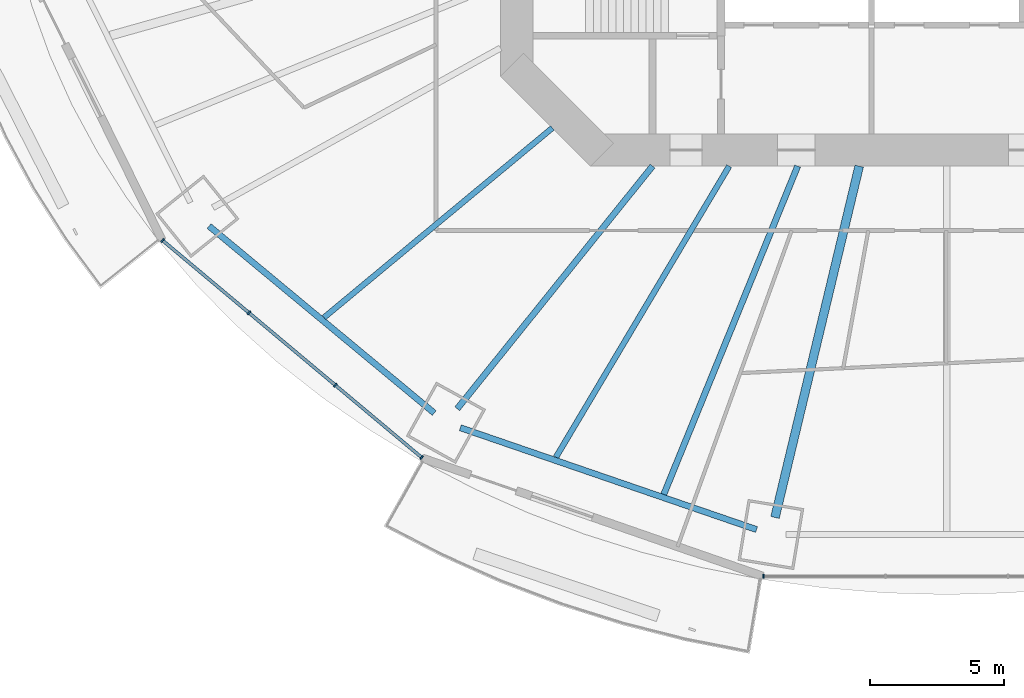
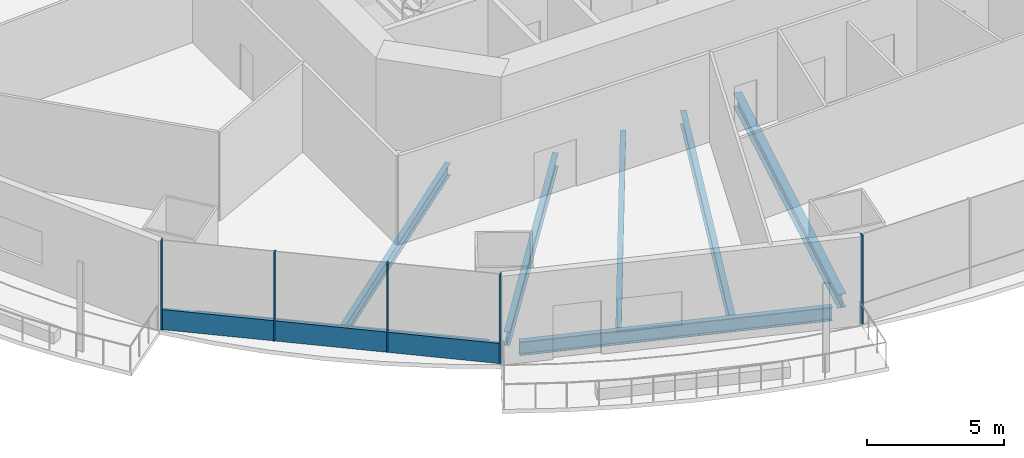
# One storey, part 2 of 22: 7 beams, 6 members, 2 elements without a shape of their own.
"""IFC4 building model written with IfcOpenShell, lengths in metres."""

from ifc_helpers import new_model, si_unit, direction, frame, origin, origin_2d, place, context, subcontext, project, spatial, rectangle, i_section, extrude, material, material_profile, profile_set, type_object, element, aggregate, save


model = new_model("IFC4")

# Units and contexts
model_context = context("Model", 3, precision=1e-05, world=origin(), true_north=direction((0.0, 1.0)))
body_context = subcontext(model_context, "Body", "Model", "MODEL_VIEW")
ifc_project = project(units=[si_unit("LENGTHUNIT", "METRE"), si_unit("AREAUNIT", "SQUARE_METRE"), si_unit("VOLUMEUNIT", "CUBIC_METRE"), si_unit("PLANEANGLEUNIT", "RADIAN"), si_unit("MASSUNIT", "GRAM", prefix="KILO")], contexts=[model_context])

# Site, building, storey
site_placement = place(None, origin())
site = spatial("IfcSite", under=ifc_project, at=site_placement, CompositionType="ELEMENT")
building_placement = place(site_placement, origin())
building = spatial("IfcBuilding", under=site, at=building_placement, Name="Marenthal Gate Tower", CompositionType="ELEMENT")
storey_placement = place(building_placement, frame((0.0, 0.0, 82.800048828125)))
storey = spatial("IfcBuildingStorey", under=building, at=storey_placement, Name="L16", CompositionType="ELEMENT", Elevation=82.800048828125)

# Curtain wall, members
ifc_material_1 = material(Name="Aluminium and glass", Category="aluminium")
curtain_wall_type = type_object("IfcCurtainWallType", Name="Curtain wall typical low", PredefinedType="NOTDEFINED", material=ifc_material_1)
curtain_wall_1_placement = place(storey_placement, origin())
curtain_wall_1 = element("IfcCurtainWall", 1, at=curtain_wall_1_placement, inside=storey, type_object=curtain_wall_type, Name="Curtain wall L16 bay 10", PredefinedType="NOTDEFINED")
ifc_material_2 = material(Name="Aluminium", Category="aluminium")
ifc_material_profile_1 = material_profile(ifc_material_2, rectangle(XDim=0.159912109375, YDim=0.06005859375, at=origin_2d()), Name="60x160 aluminium mullion")
ifc_profile_set_1 = profile_set([ifc_material_profile_1], Name="Aluminium")
member_type_1 = type_object("IfcMemberType", Name="Mullion 60x160 typical low", PredefinedType="MULLION", material=ifc_profile_set_1)
member_1_placement = place(storey_placement, frame((-29.170654296875, -16.363037109375, 0.0), z_axis=(0.0, 0.0, 1.0), x_axis=(0.642228281301, 0.766513427604, 0.0)))
member_1 = element("IfcMember", 2, at=member_1_placement, type_object=member_type_1, Name="Mullion L16 bay 10.1", PredefinedType="MULLION", context=body_context, shape_type="SweptSolid", body=[
    extrude(rectangle(XDim=0.159912109375, YDim=0.06005859375, at=origin_2d()), origin(), (0.0, 0.0, 1.0), 3.969970703125),
])
member_2_placement = place(storey_placement, frame((-25.95703125, -19.0556640625, 0.0), z_axis=(0.0, 0.0, 1.0), x_axis=(0.642228281301, 0.766513427604, 0.0)))
member_2 = element("IfcMember", 3, at=member_2_placement, type_object=member_type_1, Name="Mullion L16 bay 10.2", PredefinedType="MULLION", context=body_context, shape_type="SweptSolid", body=[
    extrude(rectangle(XDim=0.159912109375, YDim=0.06005859375, at=origin_2d()), origin(), (0.0, 0.0, 1.0), 3.969970703125),
])
member_3_placement = place(storey_placement, frame((-22.743408203125, -21.748291015625, 0.0), z_axis=(0.0, 0.0, 1.0), x_axis=(0.642228281301, 0.766513427604, 0.0)))
member_3 = element("IfcMember", 4, at=member_3_placement, type_object=member_type_1, Name="Mullion L16 bay 10.3", PredefinedType="MULLION", context=body_context, shape_type="SweptSolid", body=[
    extrude(rectangle(XDim=0.159912109375, YDim=0.06005859375, at=origin_2d()), origin(), (0.0, 0.0, 1.0), 3.969970703125),
])
member_4_placement = place(storey_placement, frame((-19.529541015625, -24.44091796875, 0.0), z_axis=(0.0, 0.0, 1.0), x_axis=(0.642228281301, 0.766513427604, 0.0)))
member_4 = element("IfcMember", 5, at=member_4_placement, type_object=member_type_1, Name="Mullion L16 bay 10.4", PredefinedType="MULLION", context=body_context, shape_type="SweptSolid", body=[
    extrude(rectangle(XDim=0.159912109375, YDim=0.06005859375, at=origin_2d()), origin(), (0.0, 0.0, 1.0), 3.969970703125),
])

# Curtain wall, member
curtain_wall_2_placement = place(storey_placement, origin())
curtain_wall_2 = element("IfcCurtainWall", 6, at=curtain_wall_2_placement, inside=storey, type_object=curtain_wall_type, Name="Curtain wall L16 bay 12", PredefinedType="NOTDEFINED")
member_5_placement = place(storey_placement, frame((-6.81982421875, -28.852783203125, 0.0), z_axis=(0.0, 0.0, 1.0), x_axis=(0.0, 1.0, 0.0)))
member_5 = element("IfcMember", 7, at=member_5_placement, type_object=member_type_1, Name="Mullion L16 bay 12.1", PredefinedType="MULLION", context=body_context, shape_type="SweptSolid", body=[
    extrude(rectangle(XDim=0.159912109375, YDim=0.06005859375, at=origin_2d()), origin(), (0.0, 0.0, 1.0), 3.969970703125),
])
aggregate(curtain_wall_2, [member_5])

# Member
ifc_material_3 = material(Name="Aluminium", Category="aluminium")
ifc_material_profile_2 = material_profile(ifc_material_3, rectangle(XDim=0.1201171875, YDim=0.89990234375, at=origin_2d()), Name="120x900 aluminium transom")
ifc_profile_set_2 = profile_set([ifc_material_profile_2], Name="Aluminium")
member_type_2 = type_object("IfcMemberType", Name="Transom 120x900 typical low", PredefinedType="USERDEFINED", material=ifc_profile_set_2)
member_6_placement = place(storey_placement, frame((-29.147705078125, -16.38232421875, 0.449951171875), z_axis=(0.766517626831, -0.642223269399, 0.0), x_axis=(0.642223269399, 0.766517626831, 0.0)))
member_6 = element("IfcMember", 8, at=member_6_placement, type_object=member_type_2, Name="Transom L16 bay 10", ObjectType="TRANSOM", PredefinedType="USERDEFINED", context=body_context, shape_type="SweptSolid", body=[
    extrude(rectangle(XDim=0.1201171875, YDim=0.89990234375, at=origin_2d()), origin(), (0.0, 0.0, 1.0), 12.517822265625),
])

aggregate(curtain_wall_1, [member_1, member_2, member_3, member_4, member_6])

# Beams
ifc_material_4 = material(Name="Steel S355", Category="steel")
ifc_material_profile_3 = material_profile(ifc_material_4, i_section(OverallWidth=0.2099609375, OverallDepth=0.535888671875, WebThickness=0.010986328125, FlangeThickness=0.017333984375, FilletRadius=0.0126953125, at=origin_2d()), Name="W530X101")
ifc_profile_set_3 = profile_set([ifc_material_profile_3], Name="Steel S355")
beam_type_1 = type_object("IfcBeamType", Name="W530X101 beam", PredefinedType="BEAM", material=ifc_profile_set_3)
beam_1_placement = place(storey_placement, frame((-23.164794921875, -19.23193359375, -0.447998046875), z_axis=(0.769390815443, 0.638778344273, 0.0), x_axis=(-0.638778344273, 0.769390815443, 0.0)))
element("IfcBeam", 9, at=beam_1_placement, inside=storey, type_object=beam_type_1, Name="BM-L16-31", PredefinedType="BEAM", context=body_context, shape_type="SweptSolid", body=[
    extrude(i_section(OverallWidth=0.2099609375, OverallDepth=0.535888671875, WebThickness=0.010986328125, FlangeThickness=0.017333984375, FilletRadius=0.0126953125, at=origin_2d()), origin(), (0.0, 0.0, 1.0), 11.041259765625),
])
ifc_material_5 = material(Name="Steel S355", Category="steel")
ifc_material_profile_4 = material_profile(ifc_material_5, i_section(OverallWidth=0.2119140625, OverallDepth=0.5439453125, WebThickness=0.01318359375, FlangeThickness=0.021240234375, FilletRadius=0.0126953125, at=origin_2d()), Name="W530X123")
ifc_profile_set_4 = profile_set([ifc_material_profile_4], Name="Steel S355")
beam_type_2 = type_object("IfcBeamType", Name="W530X123 beam", PredefinedType="BEAM", material=ifc_profile_set_4)
beam_2_placement = place(storey_placement, frame((-14.539794921875, -24.431396484375, -0.4521484375), z_axis=(0.511416092882, 0.859333218223, 0.0), x_axis=(-0.859333218223, 0.511416092882, 0.0)))
element("IfcBeam", 10, at=beam_2_placement, inside=storey, type_object=beam_type_2, Name="BM-L16-32", PredefinedType="BEAM", context=body_context, shape_type="SweptSolid", body=[
    extrude(i_section(OverallWidth=0.2119140625, OverallDepth=0.5439453125, WebThickness=0.01318359375, FlangeThickness=0.021240234375, FilletRadius=0.0126953125, at=origin_2d()), origin(), (0.0, 0.0, 1.0), 12.604248046875),
])
ifc_material_6 = material(Name="Steel S355", Category="steel")
ifc_material_profile_5 = material_profile(ifc_material_6, i_section(OverallWidth=0.22900390625, OverallDepth=0.612060546875, WebThickness=0.011962890625, FlangeThickness=0.01953125, FilletRadius=0.0126953125, at=origin_2d()), Name="W610X125")
ifc_profile_set_5 = profile_set([ifc_material_profile_5], Name="Steel S355")
beam_type_3 = type_object("IfcBeamType", Name="W610X125 beam", PredefinedType="BEAM", material=ifc_profile_set_5)
beam_3_placement = place(storey_placement, frame((-18.210693359375, -22.626708984375, -0.486083984375), z_axis=(0.626999737325, 0.779019466634, 0.0), x_axis=(-0.779019466634, 0.626999737325, 0.0)))
element("IfcBeam", 11, at=beam_3_placement, inside=storey, type_object=beam_type_3, Name="BM-L16-11", PredefinedType="BEAM", context=body_context, shape_type="SweptSolid", body=[
    extrude(i_section(OverallWidth=0.22900390625, OverallDepth=0.612060546875, WebThickness=0.011962890625, FlangeThickness=0.01953125, FilletRadius=0.0126953125, at=origin_2d()), origin(), (0.0, 0.0, 1.0), 11.587158203125),
])
beam_4_placement = place(storey_placement, frame((-10.52734375, -25.811279296875, -0.486083984375), z_axis=(0.377657332002, 0.925945430134, 0.0), x_axis=(-0.925945430134, 0.377657332002, 0.0)))
element("IfcBeam", 12, at=beam_4_placement, inside=storey, type_object=beam_type_3, Name="BM-L16-33", PredefinedType="BEAM", context=body_context, shape_type="SweptSolid", body=[
    extrude(i_section(OverallWidth=0.22900390625, OverallDepth=0.612060546875, WebThickness=0.011962890625, FlangeThickness=0.01953125, FilletRadius=0.0126953125, at=origin_2d()), origin(), (0.0, 0.0, 1.0), 13.187744140625),
])
beam_5_placement = place(storey_placement, frame((-27.4404296875, -15.8310546875, -0.486083984375), z_axis=(0.769402188258, -0.638764645784, 0.0), x_axis=(0.638764645784, 0.769402188258, 0.0)))
element("IfcBeam", 13, at=beam_5_placement, inside=storey, type_object=beam_type_3, Name="BM-L16-50", PredefinedType="BEAM", context=body_context, shape_type="SweptSolid", body=[
    extrude(i_section(OverallWidth=0.22900390625, OverallDepth=0.612060546875, WebThickness=0.011962890625, FlangeThickness=0.01953125, FilletRadius=0.0126953125, at=origin_2d()), origin(), (0.0, 0.0, 1.0), 10.884033203125),
])
beam_6_placement = place(storey_placement, frame((-18.09326171875, -23.330810546875, -0.486083984375), z_axis=(0.945652773526, -0.32517815413, 0.0), x_axis=(0.32517815413, 0.945652773526, 0.0)))
element("IfcBeam", 14, at=beam_6_placement, inside=storey, type_object=beam_type_3, Name="BM-L16-51", PredefinedType="BEAM", context=body_context, shape_type="SweptSolid", body=[
    extrude(i_section(OverallWidth=0.22900390625, OverallDepth=0.612060546875, WebThickness=0.011962890625, FlangeThickness=0.01953125, FilletRadius=0.0126953125, at=origin_2d()), origin(), (0.0, 0.0, 1.0), 11.65087890625),
])
ifc_material_7 = material(Name="Steel S355", Category="steel")
ifc_material_profile_6 = material_profile(ifc_material_7, i_section(OverallWidth=0.324951171875, OverallDepth=0.612060546875, WebThickness=0.0126953125, FlangeThickness=0.01904296875, FilletRadius=0.0126953125, at=origin_2d()), Name="W610X155")
ifc_profile_set_6 = profile_set([ifc_material_profile_6], Name="Steel S355")
beam_type_4 = type_object("IfcBeamType", Name="W610X155 beam", PredefinedType="BEAM", material=ifc_profile_set_6)
beam_7_placement = place(storey_placement, frame((-6.389404296875, -26.668212890625, -0.486083984375), z_axis=(0.233003942161, 0.972475790412, 0.0), x_axis=(-0.972475790412, 0.233003942161, 0.0)))
element("IfcBeam", 15, at=beam_7_placement, inside=storey, type_object=beam_type_4, Name="BM-L16-12", PredefinedType="BEAM", context=body_context, shape_type="SweptSolid", body=[
    extrude(i_section(OverallWidth=0.324951171875, OverallDepth=0.612060546875, WebThickness=0.0126953125, FlangeThickness=0.01904296875, FilletRadius=0.0126953125, at=origin_2d()), origin(), (0.0, 0.0, 1.0), 13.43798828125),
])

save(model, "model.ifc")
